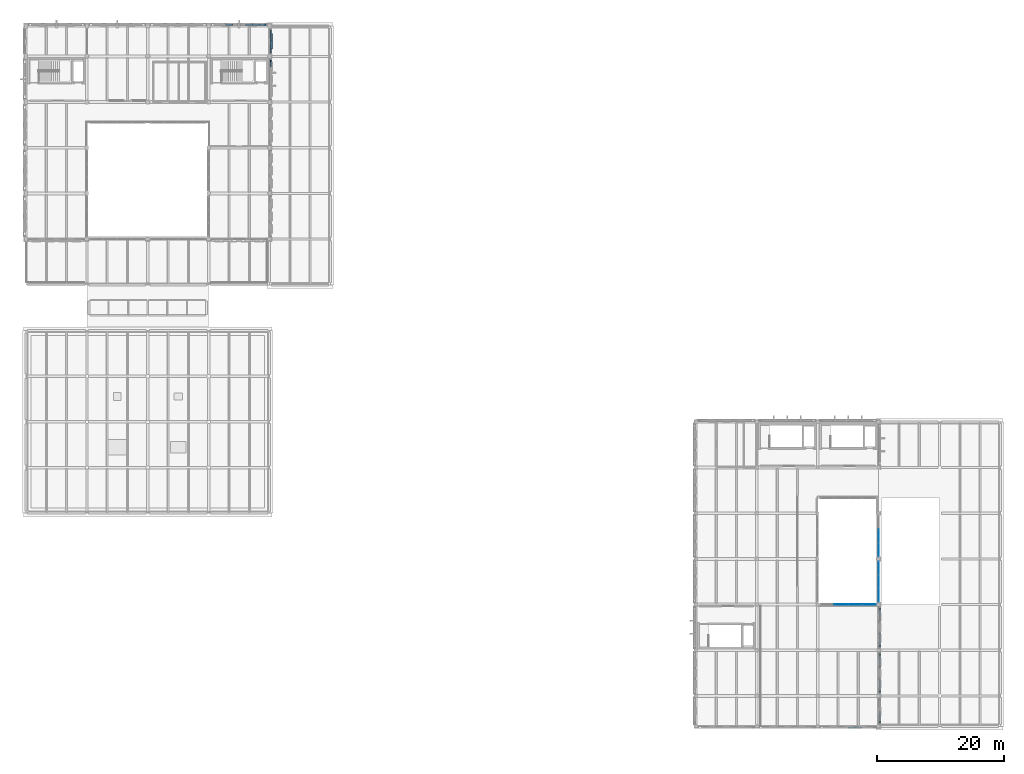
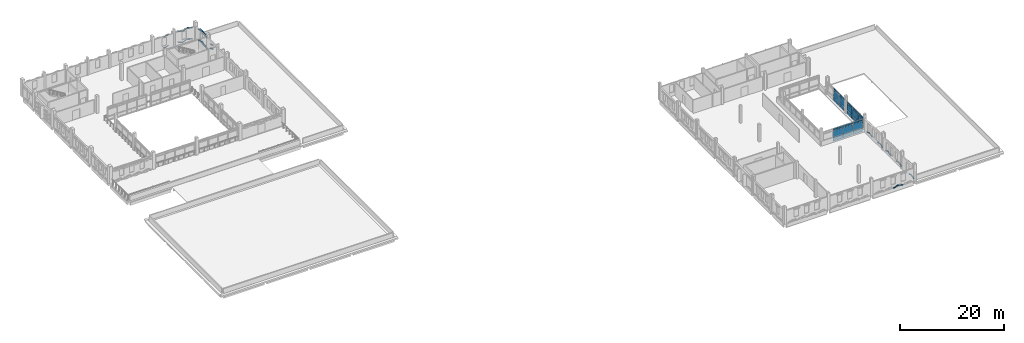
# One storey, part 32 of 50: 54 plates, 3 elements without a shape of their own.
"""IFC4 building model written with IfcOpenShell, lengths in metres."""

from ifc_helpers import new_model, si_unit, direction, frame, origin, origin_2d, place, context, subcontext, project, spatial, rectangle, hollow_rectangle, extrude, material, layer, layer_set, material_profile, profile_set, type_object, element, aggregate, save


model = new_model("IFC4")

# Units and contexts
model_context = context("Model", 3, precision=1e-05, world=origin(), true_north=direction((0.0, 1.0)))
body_context = subcontext(model_context, "Body", "Model", "MODEL_VIEW")
ifc_project = project(units=[si_unit("LENGTHUNIT", "METRE"), si_unit("AREAUNIT", "SQUARE_METRE"), si_unit("VOLUMEUNIT", "CUBIC_METRE"), si_unit("PLANEANGLEUNIT", "RADIAN"), si_unit("MASSUNIT", "GRAM", prefix="KILO")], contexts=[model_context])

# Site, building, storey
site_placement = place(None, origin())
site = spatial("IfcSite", under=ifc_project, at=site_placement, CompositionType="ELEMENT")
building_placement = place(site_placement, origin())
building = spatial("IfcBuilding", under=site, at=building_placement, Name="Asteropetra Specialist Clinic", CompositionType="ELEMENT")
storey_placement = place(building_placement, frame((0.0, 0.0, 16.659912109375)))
storey = spatial("IfcBuildingStorey", under=building, at=storey_placement, Name="L04", CompositionType="ELEMENT", Elevation=16.659912109375)

# Plates
ifc_material_1 = material(Name="Chevron emerald aluminium 6063-T6", Category="aluminium")
ifc_material_profile_1 = material_profile(ifc_material_1, hollow_rectangle(XDim=0.139892578125, YDim=0.139892578125, WallThickness=0.008056640625, InnerFilletRadius=0.008056640625, OuterFilletRadius=0.01611328125, at=origin_2d()), Name="SHS 140x140x8.0")
ifc_profile_set_1 = profile_set([ifc_material_profile_1], Name="Chevron emerald aluminium 6063-T6")
plate_type_1 = type_object("IfcPlateType", Name="CHV-RIB-140", PredefinedType="SHEET", material=ifc_profile_set_1)
for number, where, z_axis, x_axis, name in (
    (1, (129.6201171875, -0.20947265625, 0.080078125), (0.952035512318, 0.0, 0.305987554135), (0.0, 1.0, 0.0), "Chevron Facade Screen Fin CVR-3556"),
    (2, (130.663818359375, -0.20947265625, 0.41552734375), (0.952035512318, 0.0, -0.305987554135), (0.0, 1.0, 0.0), "Chevron Facade Screen Fin CVR-3557"),
):
    element("IfcPlate", number, at=place(storey_placement, frame(where, z_axis=z_axis, x_axis=x_axis)), inside=storey, type_object=plate_type_1, Name=name, PredefinedType="SHEET", context=body_context, shape_type="SweptSolid", body=[
        extrude(hollow_rectangle(XDim=0.139892578125, YDim=0.139892578125, WallThickness=0.008056640625, InnerFilletRadius=0.008056640625, OuterFilletRadius=0.01611328125, at=origin_2d()), origin(), (0.0, 0.0, 1.0), 1.09619140625),
    ])
for number, where, z_axis, x_axis, name in (
    (3, (134.609619140625, 0.56494140625, 0.080078125), (0.0, 0.951785816799, 0.30676335984), (-1.0, 0.0, 0.0), "Chevron Facade Screen Fin CVR-3568"),
    (4, (134.609619140625, 1.472412109375, 0.37255859375), (0.0, 0.951785816799, -0.30676335984), (-1.0, 0.0, 0.0), "Chevron Facade Screen Fin CVR-3569"),
):
    element("IfcPlate", number, at=place(storey_placement, frame(where, z_axis=z_axis, x_axis=x_axis)), inside=storey, type_object=plate_type_1, Name=name, PredefinedType="SHEET", context=body_context, shape_type="SweptSolid", body=[
        extrude(hollow_rectangle(XDim=0.139892578125, YDim=0.139892578125, WallThickness=0.008056640625, InnerFilletRadius=0.008056640625, OuterFilletRadius=0.01611328125, at=origin_2d()), origin(), (0.0, 0.0, 1.0), 0.953369140625),
    ])
plate_1_placement = place(storey_placement, frame((134.609619140625, 5.364990234375, 0.080078125), z_axis=(0.0, 0.951982525722, 0.306152365205), x_axis=(-1.0, 0.0, 0.0)))
element("IfcPlate", 5, at=plate_1_placement, inside=storey, type_object=plate_type_1, Name="Chevron Facade Screen Fin CVR-3574", PredefinedType="SHEET", context=body_context, shape_type="SweptSolid", body=[
    extrude(hollow_rectangle(XDim=0.139892578125, YDim=0.139892578125, WallThickness=0.008056640625, InnerFilletRadius=0.008056640625, OuterFilletRadius=0.01611328125, at=origin_2d()), origin(), (0.0, 0.0, 1.0), 1.048583984375),
])
for number, where, z_axis, x_axis, name in (
    (6, (134.609619140625, 6.36328125, 0.401123046875), (0.0, 0.952004340095, -0.306084524994), (-1.0, 0.0, 0.0), "Chevron Facade Screen Fin CVR-3575"),
    (7, (134.609619140625, 9.438232421875, 0.080078125), (0.0, 0.952004340095, 0.306084524994), (-1.0, 0.0, 0.0), "Chevron Facade Screen Fin CVR-3576"),
):
    element("IfcPlate", number, at=place(storey_placement, frame(where, z_axis=z_axis, x_axis=x_axis)), inside=storey, type_object=plate_type_1, Name=name, PredefinedType="SHEET", context=body_context, shape_type="SweptSolid", body=[
        extrude(hollow_rectangle(XDim=0.139892578125, YDim=0.139892578125, WallThickness=0.008056640625, InnerFilletRadius=0.008056640625, OuterFilletRadius=0.01611328125, at=origin_2d()), origin(), (0.0, 0.0, 1.0), 1.048828125),
    ])
for number, where, z_axis, x_axis, name in (
    (8, (134.609619140625, 10.436767578125, 0.401123046875), (0.0, 0.951982525722, -0.306152365205), (-1.0, 0.0, 0.0), "Chevron Facade Screen Fin CVR-3577"),
    (9, (134.609619140625, 12.56494140625, 0.080078125), (0.0, 0.951982525722, 0.306152365205), (-1.0, 0.0, 0.0), "Chevron Facade Screen Fin CVR-3586"),
):
    element("IfcPlate", number, at=place(storey_placement, frame(where, z_axis=z_axis, x_axis=x_axis)), inside=storey, type_object=plate_type_1, Name=name, PredefinedType="SHEET", context=body_context, shape_type="SweptSolid", body=[
        extrude(hollow_rectangle(XDim=0.139892578125, YDim=0.139892578125, WallThickness=0.008056640625, InnerFilletRadius=0.008056640625, OuterFilletRadius=0.01611328125, at=origin_2d()), origin(), (0.0, 0.0, 1.0), 1.048583984375),
    ])
for number, where, z_axis, x_axis, name in (
    (10, (134.609619140625, 13.563232421875, 0.401123046875), (0.0, 0.952004340095, -0.306084524994), (-1.0, 0.0, 0.0), "Chevron Facade Screen Fin CVR-3587"),
    (11, (134.609619140625, 16.63818359375, 0.080078125), (0.0, 0.952004340095, 0.306084524994), (-1.0, 0.0, 0.0), "Chevron Facade Screen Fin CVR-3588"),
):
    element("IfcPlate", number, at=place(storey_placement, frame(where, z_axis=z_axis, x_axis=x_axis)), inside=storey, type_object=plate_type_1, Name=name, PredefinedType="SHEET", context=body_context, shape_type="SweptSolid", body=[
        extrude(hollow_rectangle(XDim=0.139892578125, YDim=0.139892578125, WallThickness=0.008056640625, InnerFilletRadius=0.008056640625, OuterFilletRadius=0.01611328125, at=origin_2d()), origin(), (0.0, 0.0, 1.0), 1.048828125),
    ])
plate_2_placement = place(storey_placement, frame((134.609619140625, 17.63671875, 0.401123046875), z_axis=(0.0, 0.951982525722, -0.306152365205), x_axis=(-1.0, 0.0, 0.0)))
element("IfcPlate", 12, at=plate_2_placement, inside=storey, type_object=plate_type_1, Name="Chevron Facade Screen Fin CVR-3589", PredefinedType="SHEET", context=body_context, shape_type="SweptSolid", body=[
    extrude(hollow_rectangle(XDim=0.139892578125, YDim=0.139892578125, WallThickness=0.008056640625, InnerFilletRadius=0.008056640625, OuterFilletRadius=0.01611328125, at=origin_2d()), origin(), (0.0, 0.0, 1.0), 1.048583984375),
])
ifc_material_2 = material(Name="Chevron emerald aluminium 6063-T6", Category="aluminium")
ifc_material_profile_2 = material_profile(ifc_material_2, hollow_rectangle(XDim=0.159912109375, YDim=0.159912109375, WallThickness=0.008056640625, InnerFilletRadius=0.008056640625, OuterFilletRadius=0.01611328125, at=origin_2d()), Name="SHS 160x160x8.0")
ifc_profile_set_2 = profile_set([ifc_material_profile_2], Name="Chevron emerald aluminium 6063-T6")
plate_type_2 = type_object("IfcPlateType", Name="CHV-RIB-160", PredefinedType="SHEET", material=ifc_profile_set_2)
plate_3_placement = place(storey_placement, frame((37.81005859375, 110.616943359375, 0.050048828125), z_axis=(-0.952033222609, 0.0, 0.305994678137), x_axis=(0.0, -1.0, 0.0)))
element("IfcPlate", 13, at=plate_3_placement, inside=storey, type_object=plate_type_2, Name="Chevron Facade Screen Fin CVR-1537", PredefinedType="SHEET", context=body_context, shape_type="SweptSolid", body=[
    extrude(hollow_rectangle(XDim=0.159912109375, YDim=0.159912109375, WallThickness=0.008056640625, InnerFilletRadius=0.008056640625, OuterFilletRadius=0.01611328125, at=origin_2d()), origin(), (0.0, 0.0, 1.0), 1.08984375),
])
plate_4_placement = place(storey_placement, frame((36.7724609375, 110.616943359375, 0.383544921875), z_axis=(-0.952012241431, 0.0, -0.306059948646), x_axis=(0.0, -1.0, 0.0)))
element("IfcPlate", 14, at=plate_4_placement, inside=storey, type_object=plate_type_2, Name="Chevron Facade Screen Fin CVR-1538", PredefinedType="SHEET", context=body_context, shape_type="SweptSolid", body=[
    extrude(hollow_rectangle(XDim=0.159912109375, YDim=0.159912109375, WallThickness=0.008056640625, InnerFilletRadius=0.008056640625, OuterFilletRadius=0.01611328125, at=origin_2d()), origin(), (0.0, 0.0, 1.0), 1.089599609375),
])
plate_5_placement = place(storey_placement, frame((37.81005859375, 110.616943359375, 2.64013671875), z_axis=(-0.952098462736, 0.0, 0.305791623914), x_axis=(0.0, -1.0, 0.0)))
element("IfcPlate", 15, at=plate_5_placement, inside=storey, type_object=plate_type_2, Name="Chevron Facade Screen Fin CVR-1539", PredefinedType="SHEET", context=body_context, shape_type="SweptSolid", body=[
    extrude(hollow_rectangle(XDim=0.159912109375, YDim=0.159912109375, WallThickness=0.008056640625, InnerFilletRadius=0.008056640625, OuterFilletRadius=0.01611328125, at=origin_2d()), origin(), (0.0, 0.0, 1.0), 1.08984375),
])
plate_6_placement = place(storey_placement, frame((36.7724609375, 110.616943359375, 2.973388671875), z_axis=(-0.952077507958, 0.0, -0.305856860052), x_axis=(0.0, -1.0, 0.0)))
element("IfcPlate", 16, at=plate_6_placement, inside=storey, type_object=plate_type_2, Name="Chevron Facade Screen Fin CVR-1540", PredefinedType="SHEET", context=body_context, shape_type="SweptSolid", body=[
    extrude(hollow_rectangle(XDim=0.159912109375, YDim=0.159912109375, WallThickness=0.008056640625, InnerFilletRadius=0.008056640625, OuterFilletRadius=0.01611328125, at=origin_2d()), origin(), (0.0, 0.0, 1.0), 1.089599609375),
])
for number, where, z_axis, x_axis, name in (
    (17, (35.695068359375, 110.616943359375, 0.050048828125), (-0.952033222609, 0.0, 0.305994678137), (0.0, -1.0, 0.0), "Chevron Facade Screen Fin CVR-1541"),
    (18, (35.695068359375, 110.616943359375, 2.64013671875), (-0.952098462736, 0.0, 0.305791623914), (0.0, -1.0, 0.0), "Chevron Facade Screen Fin CVR-1542"),
    (19, (32.54248046875, 110.616943359375, 0.383544921875), (-0.952033222609, 0.0, -0.305994678137), (0.0, -1.0, 0.0), "Chevron Facade Screen Fin CVR-1543"),
    (20, (32.54248046875, 110.616943359375, 2.973388671875), (-0.952098462736, 0.0, -0.305791623914), (0.0, -1.0, 0.0), "Chevron Facade Screen Fin CVR-1544"),
):
    element("IfcPlate", number, at=place(storey_placement, frame(where, z_axis=z_axis, x_axis=x_axis)), inside=storey, type_object=plate_type_2, Name=name, PredefinedType="SHEET", context=body_context, shape_type="SweptSolid", body=[
        extrude(hollow_rectangle(XDim=0.159912109375, YDim=0.159912109375, WallThickness=0.008056640625, InnerFilletRadius=0.008056640625, OuterFilletRadius=0.01611328125, at=origin_2d()), origin(), (0.0, 0.0, 1.0), 1.08984375),
    ])
for number, where, z_axis, x_axis, name in (
    (21, (38.616943359375, 104.00341796875, 1.3359375), (0.0, 0.951922588053, -0.306338679169), (-1.0, 0.0, 0.0), "Chevron Facade Screen Fin CVR-1636"),
    (22, (38.616943359375, 104.00341796875, 2.2958984375), (0.0, 0.951922588053, -0.306338679169), (-1.0, 0.0, 0.0), "Chevron Facade Screen Fin CVR-1638"),
):
    element("IfcPlate", number, at=place(storey_placement, frame(where, z_axis=z_axis, x_axis=x_axis)), inside=storey, type_object=plate_type_2, Name=name, PredefinedType="SHEET", context=body_context, shape_type="SweptSolid", body=[
        extrude(hollow_rectangle(XDim=0.159912109375, YDim=0.159912109375, WallThickness=0.008056640625, InnerFilletRadius=0.008056640625, OuterFilletRadius=0.01611328125, at=origin_2d()), origin(), (0.0, 0.0, 1.0), 1.03125),
    ])
plate_7_placement = place(storey_placement, frame((38.616943359375, 106.215087890625, 0.050048828125), z_axis=(0.0, 0.952703499828, 0.303901367907), x_axis=(-1.0, 0.0, 0.0)))
element("IfcPlate", 23, at=plate_7_placement, inside=storey, type_object=plate_type_2, Name="Chevron Facade Screen Fin CVR-1643", PredefinedType="SHEET", context=body_context, shape_type="SweptSolid", body=[
    extrude(hollow_rectangle(XDim=0.159912109375, YDim=0.159912109375, WallThickness=0.008056640625, InnerFilletRadius=0.008056640625, OuterFilletRadius=0.01611328125, at=origin_2d()), origin(), (0.0, 0.0, 1.0), 1.833984375),
])
plate_8_placement = place(storey_placement, frame((38.616943359375, 107.96240234375, 0.607421875), z_axis=(0.0, 0.952715791457, -0.303862832062), x_axis=(-1.0, 0.0, 0.0)))
element("IfcPlate", 24, at=plate_8_placement, inside=storey, type_object=plate_type_2, Name="Chevron Facade Screen Fin CVR-1644", PredefinedType="SHEET", context=body_context, shape_type="SweptSolid", body=[
    extrude(hollow_rectangle(XDim=0.159912109375, YDim=0.159912109375, WallThickness=0.008056640625, InnerFilletRadius=0.008056640625, OuterFilletRadius=0.01611328125, at=origin_2d()), origin(), (0.0, 0.0, 1.0), 1.834228515625),
])
plate_9_placement = place(storey_placement, frame((38.616943359375, 106.215087890625, 2.64013671875), z_axis=(0.0, 0.975997375337, 0.217782284255), x_axis=(-1.0, 0.0, 0.0)))
element("IfcPlate", 25, at=plate_9_placement, inside=storey, type_object=plate_type_2, Name="Chevron Facade Screen Fin CVR-1645", PredefinedType="SHEET", context=body_context, shape_type="SweptSolid", body=[
    extrude(hollow_rectangle(XDim=0.159912109375, YDim=0.159912109375, WallThickness=0.008056640625, InnerFilletRadius=0.008056640625, OuterFilletRadius=0.01611328125, at=origin_2d()), origin(), (0.0, 0.0, 1.0), 1.790283203125),
])
plate_10_placement = place(storey_placement, frame((38.616943359375, 107.96240234375, 3.030029296875), z_axis=(0.0, 0.976003841937, -0.21775330198), x_axis=(-1.0, 0.0, 0.0)))
element("IfcPlate", 26, at=plate_10_placement, inside=storey, type_object=plate_type_2, Name="Chevron Facade Screen Fin CVR-1646", PredefinedType="SHEET", context=body_context, shape_type="SweptSolid", body=[
    extrude(hollow_rectangle(XDim=0.159912109375, YDim=0.159912109375, WallThickness=0.008056640625, InnerFilletRadius=0.008056640625, OuterFilletRadius=0.01611328125, at=origin_2d()), origin(), (0.0, 0.0, 1.0), 1.79052734375),
])

# Curtain wall, plates
ifc_material_3 = material(Name="Aluminium and low-E glass", Category="aluminium")
ifc_layer_1 = layer(ifc_material_3, 0.14990234375)
ifc_layer_set_1 = layer_set([ifc_layer_1], Name="Aluminium and low-E glass")
curtain_wall_type_1 = type_object("IfcCurtainWallType", Name="CW-SYS-11", PredefinedType="USERDEFINED", material=ifc_layer_set_1)
curtain_wall_1_placement = place(storey_placement, origin())
curtain_wall_1 = element("IfcCurtainWall", 27, at=curtain_wall_1_placement, inside=storey, type_object=curtain_wall_type_1, Name="Curtain Wall CW-092", ObjectType="STICK GLAZED COLONNADE", PredefinedType="USERDEFINED")
ifc_material_4 = material(Name="Low-E double glazing", Category="glass")
ifc_layer_2 = layer(ifc_material_4, 0.028076171875)
ifc_layer_set_2 = layer_set([ifc_layer_2], Name="Low-E double glazing")
plate_type_3 = type_object("IfcPlateType", Name="CWP-GLZ-28", PredefinedType="CURTAIN_PANEL", material=ifc_layer_set_2)
plate_11_placement = place(storey_placement, frame((134.39990234375, 20.671630859375, 0.06005859375), z_axis=(0.0, 0.0, 1.0), x_axis=(0.0, 1.0, 0.0)))
plate_11 = element("IfcPlate", 28, at=plate_11_placement, type_object=plate_type_3, Name="CW-092 panel 1.1", PredefinedType="CURTAIN_PANEL", context=body_context, shape_type="SweptSolid", body=[
    extrude(rectangle(XDim=2.05322265625, YDim=0.028076171875, at=origin_2d()), origin(), (0.0, 0.0, 1.0), 0.81005859375),
])
plate_12_placement = place(storey_placement, frame((134.39990234375, 20.671630859375, 0.929931640625), z_axis=(0.0, 0.0, 1.0), x_axis=(0.0, 1.0, 0.0)))
plate_12 = element("IfcPlate", 29, at=plate_12_placement, type_object=plate_type_3, Name="CW-092 panel 1.2", PredefinedType="CURTAIN_PANEL", context=body_context, shape_type="SweptSolid", body=[
    extrude(rectangle(XDim=2.05322265625, YDim=0.028076171875, at=origin_2d()), origin(), (0.0, 0.0, 1.0), 1.60009765625),
])
plate_13_placement = place(storey_placement, frame((134.39990234375, 20.671630859375, 2.59033203125), z_axis=(0.0, 0.0, 1.0), x_axis=(0.0, 1.0, 0.0)))
plate_13 = element("IfcPlate", 30, at=plate_13_placement, type_object=plate_type_3, Name="CW-092 panel 1.3", PredefinedType="CURTAIN_PANEL", context=body_context, shape_type="SweptSolid", body=[
    extrude(rectangle(XDim=2.05322265625, YDim=0.028076171875, at=origin_2d()), origin(), (0.0, 0.0, 1.0), 0.409912109375),
])
plate_14_placement = place(storey_placement, frame((134.39990234375, 22.800048828125, 0.06005859375), z_axis=(0.0, 0.0, 1.0), x_axis=(0.0, 1.0, 0.0)))
plate_14 = element("IfcPlate", 31, at=plate_14_placement, type_object=plate_type_3, Name="CW-092 panel 2.1", PredefinedType="CURTAIN_PANEL", context=body_context, shape_type="SweptSolid", body=[
    extrude(rectangle(XDim=2.083251953125, YDim=0.028076171875, at=origin_2d()), origin(), (0.0, 0.0, 1.0), 0.81005859375),
])
plate_15_placement = place(storey_placement, frame((134.39990234375, 22.800048828125, 0.929931640625), z_axis=(0.0, 0.0, 1.0), x_axis=(0.0, 1.0, 0.0)))
plate_15 = element("IfcPlate", 32, at=plate_15_placement, type_object=plate_type_3, Name="CW-092 panel 2.2", PredefinedType="CURTAIN_PANEL", context=body_context, shape_type="SweptSolid", body=[
    extrude(rectangle(XDim=2.083251953125, YDim=0.028076171875, at=origin_2d()), origin(), (0.0, 0.0, 1.0), 1.60009765625),
])
plate_16_placement = place(storey_placement, frame((134.39990234375, 22.800048828125, 2.59033203125), z_axis=(0.0, 0.0, 1.0), x_axis=(0.0, 1.0, 0.0)))
plate_16 = element("IfcPlate", 33, at=plate_16_placement, type_object=plate_type_3, Name="CW-092 panel 2.3", PredefinedType="CURTAIN_PANEL", context=body_context, shape_type="SweptSolid", body=[
    extrude(rectangle(XDim=2.083251953125, YDim=0.028076171875, at=origin_2d()), origin(), (0.0, 0.0, 1.0), 0.409912109375),
])
plate_17_placement = place(storey_placement, frame((134.39990234375, 24.92822265625, 0.06005859375), z_axis=(0.0, 0.0, 1.0), x_axis=(0.0, 1.0, 0.0)))
plate_17 = element("IfcPlate", 34, at=plate_17_placement, type_object=plate_type_3, Name="CW-092 panel 3.1", PredefinedType="CURTAIN_PANEL", context=body_context, shape_type="SweptSolid", body=[
    extrude(rectangle(XDim=2.05322265625, YDim=0.028076171875, at=origin_2d()), origin(), (0.0, 0.0, 1.0), 0.81005859375),
])
plate_18_placement = place(storey_placement, frame((134.39990234375, 24.92822265625, 0.929931640625), z_axis=(0.0, 0.0, 1.0), x_axis=(0.0, 1.0, 0.0)))
plate_18 = element("IfcPlate", 35, at=plate_18_placement, type_object=plate_type_3, Name="CW-092 panel 3.2", PredefinedType="CURTAIN_PANEL", context=body_context, shape_type="SweptSolid", body=[
    extrude(rectangle(XDim=2.05322265625, YDim=0.028076171875, at=origin_2d()), origin(), (0.0, 0.0, 1.0), 1.60009765625),
])
plate_19_placement = place(storey_placement, frame((134.39990234375, 24.92822265625, 2.59033203125), z_axis=(0.0, 0.0, 1.0), x_axis=(0.0, 1.0, 0.0)))
plate_19 = element("IfcPlate", 36, at=plate_19_placement, type_object=plate_type_3, Name="CW-092 panel 3.3", PredefinedType="CURTAIN_PANEL", context=body_context, shape_type="SweptSolid", body=[
    extrude(rectangle(XDim=2.05322265625, YDim=0.028076171875, at=origin_2d()), origin(), (0.0, 0.0, 1.0), 0.409912109375),
])
aggregate(curtain_wall_1, [plate_11, plate_12, plate_13, plate_14, plate_15, plate_16, plate_17, plate_18, plate_19])

ifc_material_5 = material(Name="Aluminium and low-E glass", Category="aluminium")
ifc_layer_3 = layer(ifc_material_5, 0.14990234375)
ifc_layer_set_3 = layer_set([ifc_layer_3], Name="Aluminium and low-E glass")
curtain_wall_type_2 = type_object("IfcCurtainWallType", Name="CW-SYS-08", PredefinedType="USERDEFINED", material=ifc_layer_set_3)
curtain_wall_2_placement = place(storey_placement, origin())
curtain_wall_2 = element("IfcCurtainWall", 37, at=curtain_wall_2_placement, inside=storey, type_object=curtain_wall_type_2, Name="Curtain Wall CW-089", ObjectType="STICK GLAZED COLONNADE", PredefinedType="USERDEFINED")
ifc_material_6 = material(Name="Low-E acoustic double glazing", Category="glass")
ifc_layer_4 = layer(ifc_material_6, 0.031982421875)
ifc_layer_set_4 = layer_set([ifc_layer_4], Name="Low-E acoustic double glazing")
plate_type_4 = type_object("IfcPlateType", Name="CWP-GLZ-32", PredefinedType="CURTAIN_PANEL", material=ifc_layer_set_4)
plate_20_placement = place(storey_placement, frame((128.496337890625, 19.199951171875, 0.06005859375), z_axis=(0.0, 0.0, 1.0), x_axis=(1.0, 0.0, 0.0)))
plate_20 = element("IfcPlate", 38, at=plate_20_placement, type_object=plate_type_4, Name="CW-089 panel 2.1", PredefinedType="CURTAIN_PANEL", context=body_context, shape_type="SweptSolid", body=[
    extrude(rectangle(XDim=2.1474609375, YDim=0.031982421875, at=origin_2d()), origin(), (0.0, 0.0, 1.0), 0.81005859375),
])
plate_21_placement = place(storey_placement, frame((128.496337890625, 19.199951171875, 0.929931640625), z_axis=(0.0, 0.0, 1.0), x_axis=(1.0, 0.0, 0.0)))
plate_21 = element("IfcPlate", 39, at=plate_21_placement, type_object=plate_type_4, Name="CW-089 panel 2.2", PredefinedType="CURTAIN_PANEL", context=body_context, shape_type="SweptSolid", body=[
    extrude(rectangle(XDim=2.1474609375, YDim=0.031982421875, at=origin_2d()), origin(), (0.0, 0.0, 1.0), 1.60009765625),
])
plate_22_placement = place(storey_placement, frame((128.496337890625, 19.199951171875, 2.59033203125), z_axis=(0.0, 0.0, 1.0), x_axis=(1.0, 0.0, 0.0)))
plate_22 = element("IfcPlate", 40, at=plate_22_placement, type_object=plate_type_4, Name="CW-089 panel 2.3", PredefinedType="CURTAIN_PANEL", context=body_context, shape_type="SweptSolid", body=[
    extrude(rectangle(XDim=2.1474609375, YDim=0.031982421875, at=origin_2d()), origin(), (0.0, 0.0, 1.0), 0.409912109375),
])
plate_23_placement = place(storey_placement, frame((130.703857421875, 19.199951171875, 0.06005859375), z_axis=(0.0, 0.0, 1.0), x_axis=(1.0, 0.0, 0.0)))
plate_23 = element("IfcPlate", 41, at=plate_23_placement, type_object=plate_type_4, Name="CW-089 panel 3.1", PredefinedType="CURTAIN_PANEL", context=body_context, shape_type="SweptSolid", body=[
    extrude(rectangle(XDim=2.1474609375, YDim=0.031982421875, at=origin_2d()), origin(), (0.0, 0.0, 1.0), 0.81005859375),
])
plate_24_placement = place(storey_placement, frame((130.703857421875, 19.199951171875, 0.929931640625), z_axis=(0.0, 0.0, 1.0), x_axis=(1.0, 0.0, 0.0)))
plate_24 = element("IfcPlate", 42, at=plate_24_placement, type_object=plate_type_4, Name="CW-089 panel 3.2", PredefinedType="CURTAIN_PANEL", context=body_context, shape_type="SweptSolid", body=[
    extrude(rectangle(XDim=2.1474609375, YDim=0.031982421875, at=origin_2d()), origin(), (0.0, 0.0, 1.0), 1.60009765625),
])
plate_25_placement = place(storey_placement, frame((130.703857421875, 19.199951171875, 2.59033203125), z_axis=(0.0, 0.0, 1.0), x_axis=(1.0, 0.0, 0.0)))
plate_25 = element("IfcPlate", 43, at=plate_25_placement, type_object=plate_type_4, Name="CW-089 panel 3.3", PredefinedType="CURTAIN_PANEL", context=body_context, shape_type="SweptSolid", body=[
    extrude(rectangle(XDim=2.1474609375, YDim=0.031982421875, at=origin_2d()), origin(), (0.0, 0.0, 1.0), 0.409912109375),
])
plate_26_placement = place(storey_placement, frame((132.896240234375, 19.199951171875, 0.06005859375), z_axis=(0.0, 0.0, 1.0), x_axis=(1.0, 0.0, 0.0)))
plate_26 = element("IfcPlate", 44, at=plate_26_placement, type_object=plate_type_4, Name="CW-089 panel 4.1", PredefinedType="CURTAIN_PANEL", context=body_context, shape_type="SweptSolid", body=[
    extrude(rectangle(XDim=2.117431640625, YDim=0.031982421875, at=origin_2d()), origin(), (0.0, 0.0, 1.0), 0.81005859375),
])
plate_27_placement = place(storey_placement, frame((132.896240234375, 19.199951171875, 0.929931640625), z_axis=(0.0, 0.0, 1.0), x_axis=(1.0, 0.0, 0.0)))
plate_27 = element("IfcPlate", 45, at=plate_27_placement, type_object=plate_type_4, Name="CW-089 panel 4.2", PredefinedType="CURTAIN_PANEL", context=body_context, shape_type="SweptSolid", body=[
    extrude(rectangle(XDim=2.117431640625, YDim=0.031982421875, at=origin_2d()), origin(), (0.0, 0.0, 1.0), 1.60009765625),
])
plate_28_placement = place(storey_placement, frame((132.896240234375, 19.199951171875, 2.59033203125), z_axis=(0.0, 0.0, 1.0), x_axis=(1.0, 0.0, 0.0)))
plate_28 = element("IfcPlate", 46, at=plate_28_placement, type_object=plate_type_4, Name="CW-089 panel 4.3", PredefinedType="CURTAIN_PANEL", context=body_context, shape_type="SweptSolid", body=[
    extrude(rectangle(XDim=2.117431640625, YDim=0.031982421875, at=origin_2d()), origin(), (0.0, 0.0, 1.0), 0.409912109375),
])
aggregate(curtain_wall_2, [plate_20, plate_21, plate_22, plate_23, plate_24, plate_25, plate_26, plate_27, plate_28])

ifc_material_7 = material(Name="Aluminium and low-E glass", Category="aluminium")
ifc_layer_5 = layer(ifc_material_7, 0.135009765625)
ifc_layer_set_5 = layer_set([ifc_layer_5], Name="Aluminium and low-E glass")
curtain_wall_type_3 = type_object("IfcCurtainWallType", Name="CW-SYS-12", PredefinedType="USERDEFINED", material=ifc_layer_set_5)
curtain_wall_3_placement = place(storey_placement, origin())
curtain_wall_3 = element("IfcCurtainWall", 47, at=curtain_wall_3_placement, inside=storey, type_object=curtain_wall_type_3, Name="Curtain Wall CW-094", ObjectType="STICK GLAZED COLONNADE", PredefinedType="USERDEFINED")
ifc_material_8 = material(Name="Solar-control triple glazing", Category="glass")
ifc_layer_6 = layer(ifc_material_8, 0.035888671875)
ifc_layer_set_6 = layer_set([ifc_layer_6], Name="Solar-control triple glazing")
plate_type_5 = type_object("IfcPlateType", Name="CWP-GLZ-36", PredefinedType="CURTAIN_PANEL", material=ifc_layer_set_6)
plate_29_placement = place(storey_placement, frame((134.39990234375, 27.872802734375, 0.06494140625), z_axis=(0.0, 0.0, 1.0), x_axis=(0.0, 1.0, 0.0)))
plate_29 = element("IfcPlate", 48, at=plate_29_placement, type_object=plate_type_5, Name="CW-094 panel 1.1", PredefinedType="CURTAIN_PANEL", context=body_context, shape_type="SweptSolid", body=[
    extrude(rectangle(XDim=2.0458984375, YDim=0.035888671875, at=origin_2d()), origin(), (0.0, 0.0, 1.0), 0.802490234375),
])
plate_30_placement = place(storey_placement, frame((134.39990234375, 27.872802734375, 0.9326171875), z_axis=(0.0, 0.0, 1.0), x_axis=(0.0, 1.0, 0.0)))
plate_30 = element("IfcPlate", 49, at=plate_30_placement, type_object=plate_type_5, Name="CW-094 panel 1.2", PredefinedType="CURTAIN_PANEL", context=body_context, shape_type="SweptSolid", body=[
    extrude(rectangle(XDim=2.0458984375, YDim=0.035888671875, at=origin_2d()), origin(), (0.0, 0.0, 1.0), 1.594970703125),
])
plate_31_placement = place(storey_placement, frame((134.39990234375, 27.872802734375, 2.5927734375), z_axis=(0.0, 0.0, 1.0), x_axis=(0.0, 1.0, 0.0)))
plate_31 = element("IfcPlate", 50, at=plate_31_placement, type_object=plate_type_5, Name="CW-094 panel 1.3", PredefinedType="CURTAIN_PANEL", context=body_context, shape_type="SweptSolid", body=[
    extrude(rectangle(XDim=2.0458984375, YDim=0.035888671875, at=origin_2d()), origin(), (0.0, 0.0, 1.0), 0.402587890625),
])
plate_32_placement = place(storey_placement, frame((134.39990234375, 30.0, 0.06494140625), z_axis=(0.0, 0.0, 1.0), x_axis=(0.0, 1.0, 0.0)))
plate_32 = element("IfcPlate", 51, at=plate_32_placement, type_object=plate_type_5, Name="CW-094 panel 2.1", PredefinedType="CURTAIN_PANEL", context=body_context, shape_type="SweptSolid", body=[
    extrude(rectangle(XDim=2.078369140625, YDim=0.035888671875, at=origin_2d()), origin(), (0.0, 0.0, 1.0), 0.802490234375),
])
plate_33_placement = place(storey_placement, frame((134.39990234375, 30.0, 0.9326171875), z_axis=(0.0, 0.0, 1.0), x_axis=(0.0, 1.0, 0.0)))
plate_33 = element("IfcPlate", 52, at=plate_33_placement, type_object=plate_type_5, Name="CW-094 panel 2.2", PredefinedType="CURTAIN_PANEL", context=body_context, shape_type="SweptSolid", body=[
    extrude(rectangle(XDim=2.078369140625, YDim=0.035888671875, at=origin_2d()), origin(), (0.0, 0.0, 1.0), 1.594970703125),
])
plate_34_placement = place(storey_placement, frame((134.39990234375, 30.0, 2.5927734375), z_axis=(0.0, 0.0, 1.0), x_axis=(0.0, 1.0, 0.0)))
plate_34 = element("IfcPlate", 53, at=plate_34_placement, type_object=plate_type_5, Name="CW-094 panel 2.3", PredefinedType="CURTAIN_PANEL", context=body_context, shape_type="SweptSolid", body=[
    extrude(rectangle(XDim=2.078369140625, YDim=0.035888671875, at=origin_2d()), origin(), (0.0, 0.0, 1.0), 0.402587890625),
])
aggregate(curtain_wall_3, [plate_29, plate_30, plate_31, plate_32, plate_33, plate_34])

# Plates
ifc_material_9 = material(Name="Aluminium 6063-T6", Category="aluminium")
ifc_layer_7 = layer(ifc_material_9, 0.139892578125)
ifc_layer_set_7 = layer_set([ifc_layer_7], Name="Aluminium 6063-T6")
plate_type_6 = type_object("IfcPlateType", Name="PLT-CHV-TILE", PredefinedType="SHEET", material=ifc_layer_set_7)
for number, where, z_axis, x_axis, name in (
    (54, (38.675048828125, 107.47314453125, 0.0673828125), (0.0, 0.0, 1.0), (1.0, 0.0, 0.0), "Chevron Ceramic Panel CPT-1349"),
    (55, (38.675048828125, 108.451904296875, 0.279296875), (0.0, 0.0, 1.0), (1.0, 0.0, 0.0), "Chevron Ceramic Panel CPT-1350"),
    (56, (38.675048828125, 107.47314453125, 2.60693359375), (0.0, 0.0, 1.0), (1.0, 0.0, 0.0), "Chevron Ceramic Panel CPT-1351"),
    (57, (38.675048828125, 108.451904296875, 2.75537109375), (0.0, 0.0, 1.0), (1.0, 0.0, 0.0), "Chevron Ceramic Panel CPT-1352"),
):
    element("IfcPlate", number, at=place(storey_placement, frame(where, z_axis=z_axis, x_axis=x_axis)), inside=storey, type_object=plate_type_6, Name=name, PredefinedType="SHEET", context=body_context, shape_type="SweptSolid", body=[
        extrude(rectangle(XDim=0.280029296875, YDim=1.39794921875, at=origin_2d()), origin(), (0.0, 0.0, 1.0), 0.300048828125),
    ])

save(model, "model.ifc")
